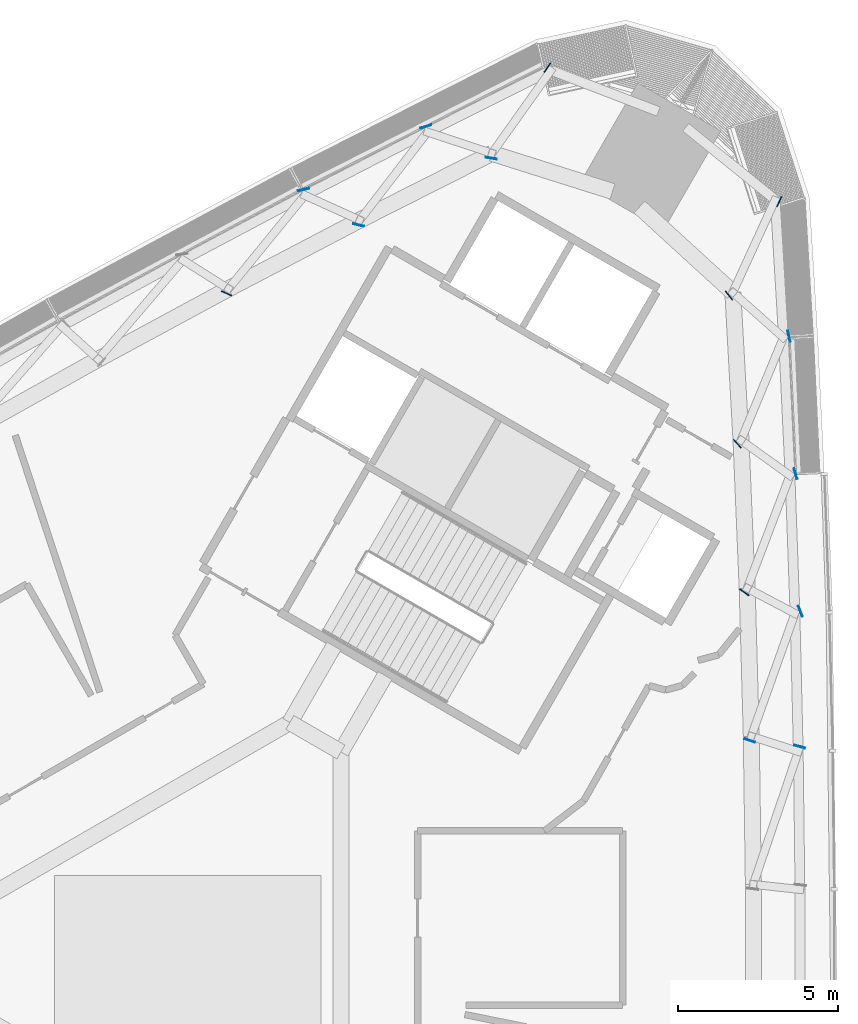
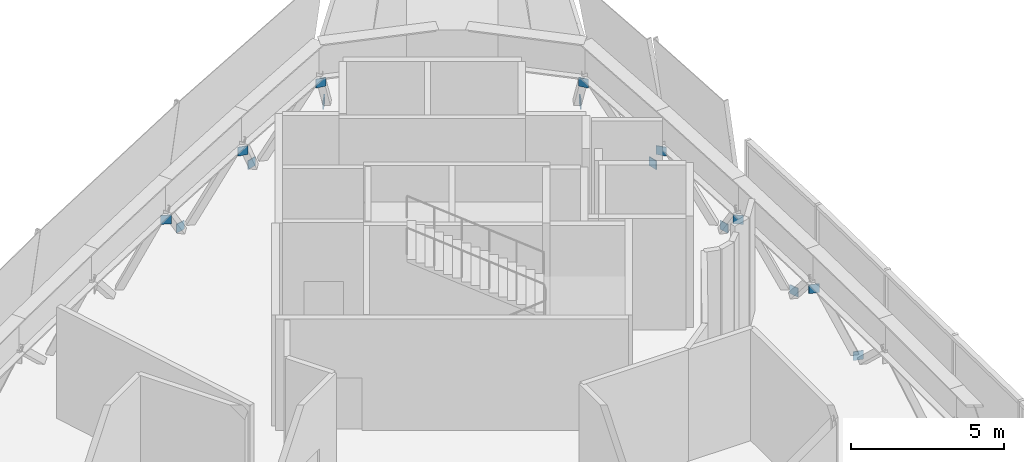
# One storey, part 9 of 18: 15 plates.
"""IFC4 building model written with IfcOpenShell, lengths in metres."""

from ifc_helpers import new_model, si_unit, direction, frame, origin, origin_2d, place, context, subcontext, project, spatial, rectangle, extrude, material, layer, layer_set, type_object, element, save


model = new_model("IFC4")

# Units and contexts
model_context = context("Model", 3, precision=1e-05, world=origin(), true_north=direction((0.0, 1.0)))
body_context = subcontext(model_context, "Body", "Model", "MODEL_VIEW")
ifc_project = project(units=[si_unit("LENGTHUNIT", "METRE"), si_unit("AREAUNIT", "SQUARE_METRE"), si_unit("VOLUMEUNIT", "CUBIC_METRE"), si_unit("PLANEANGLEUNIT", "RADIAN"), si_unit("MASSUNIT", "GRAM", prefix="KILO")], contexts=[model_context])

# Site, building, storey
site_placement = place(None, origin())
site = spatial("IfcSite", under=ifc_project, at=site_placement, CompositionType="ELEMENT")
building_placement = place(site_placement, origin())
building = spatial("IfcBuilding", under=site, at=building_placement, Name="Tamra Quay Hotel Tower", CompositionType="ELEMENT")
storey_placement = place(building_placement, frame((0.0, 0.0, 164.800048828125)))
storey = spatial("IfcBuildingStorey", under=building, at=storey_placement, Name="L41", CompositionType="ELEMENT", Elevation=164.800048828125)

# Plates
ifc_material = material(Name="Structural steel IS 2062 E350", Category="steel")
ifc_layer = layer(ifc_material, 0.030029296875)
ifc_layer_set = layer_set([ifc_layer], Name="BRACE END PLATE 30")
plate_type = type_object("IfcPlateType", Name="BRACE END PLATE 30", PredefinedType="SHEET", material=ifc_layer_set)
for number, where, z_axis, x_axis, name in (
    (1, (19.159912109375, 6.63330078125, -0.400146484375), (0.0, 0.0, 1.0), (0.262645586877, 0.964892375187, 0.0), "BEP-L41-008"),
    (2, (19.186767578125, 10.87158203125, -0.400146484375), (0.0, 0.0, 1.0), (0.931403102306, 0.36398936937, 0.0), "BEP-L41-009"),
    (3, (19.03466796875, 15.1767578125, -0.400146484375), (0.0, 0.0, 1.0), (0.957475235101, 0.288515466081, 0.0), "BEP-L41-010"),
    (4, (18.8291015625, 19.482421875, -0.400146484375), (0.0, 0.0, 1.0), (0.974692960857, 0.223547829457, 0.0), "BEP-L41-011"),
    (5, (18.52392578125, 23.698974609375, -0.400146484375), (0.0, 0.0, 1.0), (-0.909358129863, 0.416014172418, 0.0), "BEP-L41-012"),
    (6, (11.261962890625, 27.8916015625, -0.400146484375), (0.0, 0.0, 1.0), (-0.81496802099, 0.579505931603, 0.0), "BEP-L41-013"),
    (7, (7.457763671875, 26.047607421875, -0.400146484375), (0.0, 0.0, 1.0), (-0.29373336615, 0.955887393792, 0.0), "BEP-L41-014"),
    (8, (3.6259765625, 24.072998046875, -0.400146484375), (0.0, 0.0, 1.0), (-0.228860603507, 0.973459205187, 0.0), "BEP-L41-015"),
    (9, (17.602783203125, 6.821533203125, 2.699951171875), (0.0, 0.0, 1.0), (0.320245957504, 0.947334432343, 0.0), "BEP-L41-043"),
    (10, (17.427490234375, 11.466796875, 2.699951171875), (0.0, 0.0, 1.0), (0.591612221667, 0.80622266104, 0.0), "BEP-L41-044"),
    (11, (17.209716796875, 16.116943359375, 2.699951171875), (0.0, 0.0, 1.0), (0.731939065259, 0.681370093817, 0.0), "BEP-L41-045"),
    (12, (16.947998046875, 20.75830078125, 2.699951171875), (0.0, 0.0, 1.0), (0.778877336374, 0.627176286926, 0.0), "BEP-L41-046"),
    (13, (9.503173828125, 25.056396484375, 2.699951171875), (0.0, 0.0, 1.0), (0.153713653529, 0.988115434916, 0.0), "BEP-L41-047"),
    (14, (5.352783203125, 22.962646484375, 2.699951171875), (0.0, 0.0, 1.0), (0.224143193759, 0.974556221411, 0.0), "BEP-L41-048"),
    (15, (1.216796875, 20.825927734375, 2.699951171875), (0.0, 0.0, 1.0), (0.402404792516, 0.915461841346, 0.0), "BEP-L41-049"),
):
    element("IfcPlate", number, at=place(storey_placement, frame(where, z_axis=z_axis, x_axis=x_axis)), inside=storey, type_object=plate_type, Name=name, PredefinedType="SHEET", context=body_context, shape_type="SweptSolid", body=[
        extrude(rectangle(XDim=0.030029296875, YDim=0.35009765625, at=origin_2d()), origin(), (0.0, 0.0, 1.0), 0.35009765625),
    ])

save(model, "model.ifc")
